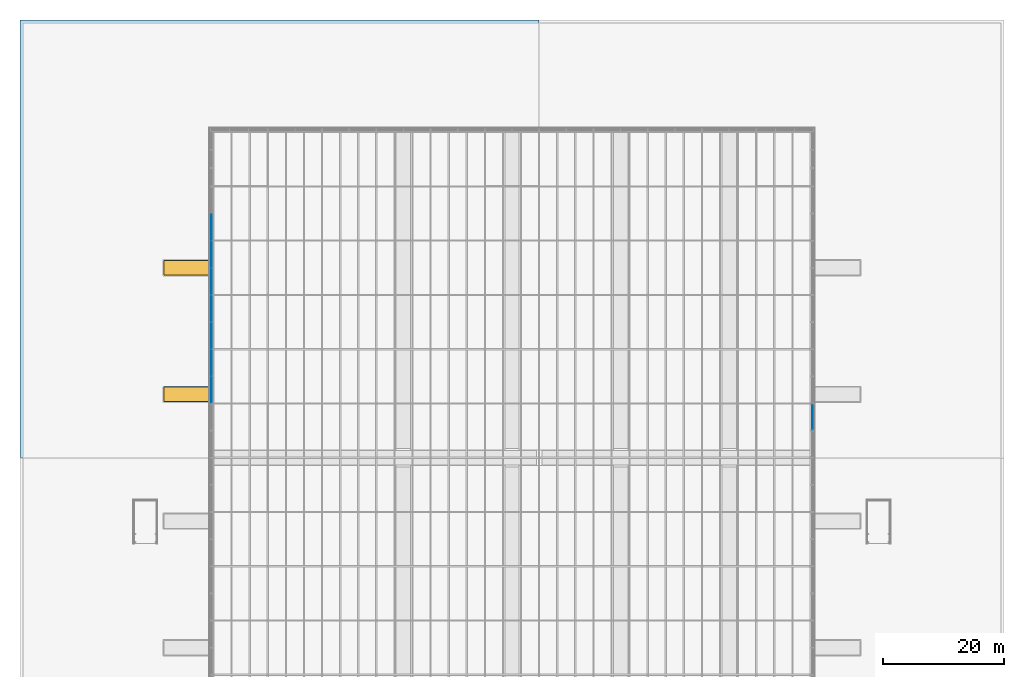
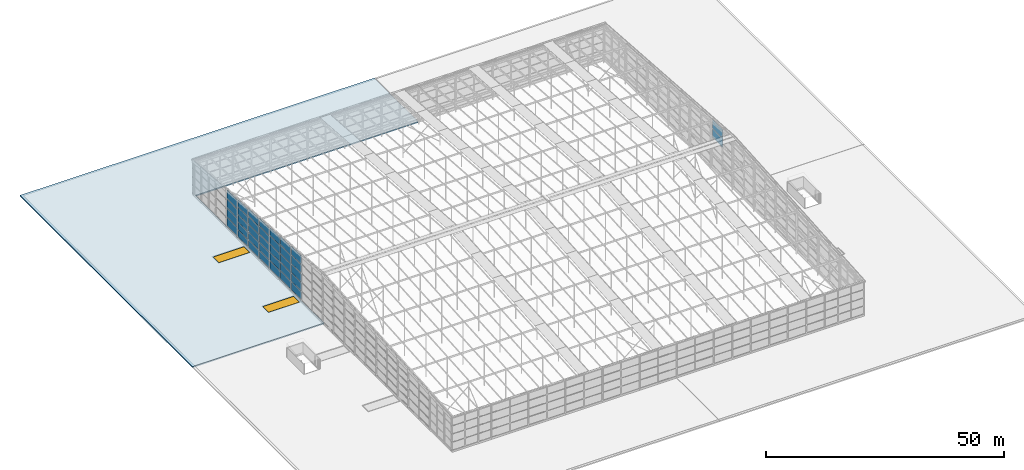
"""IFC4 building model written with IfcOpenShell, lengths in metres."""

from ifc_helpers import new_model, si_unit, direction, frame, origin, origin_2d, place, context, subcontext, project, spatial, polyline, rectangle, outline, extrude, material, layer, layer_set, type_object, element, fill, aggregate, save


model = new_model("IFC4")

# Units and contexts
model_context = context("Model", 3, precision=1e-05, world=origin(), true_north=direction((0.0, 1.0)))
body_context = subcontext(model_context, "Body", "Model", "MODEL_VIEW")
ifc_project = project(units=[si_unit("LENGTHUNIT", "METRE"), si_unit("AREAUNIT", "SQUARE_METRE"), si_unit("VOLUMEUNIT", "CUBIC_METRE"), si_unit("PLANEANGLEUNIT", "RADIAN"), si_unit("MASSUNIT", "GRAM", prefix="KILO")], contexts=[model_context])

# Site, building, storey
site_placement = place(None, origin())
site = spatial("IfcSite", under=ifc_project, at=site_placement, CompositionType="ELEMENT")
building_placement = place(site_placement, origin())
building = spatial("IfcBuilding", under=site, at=building_placement, Name="Silverbay Arena", CompositionType="ELEMENT")
storey_1_placement = place(building_placement, frame((0.0, 0.0, 47.10009765625)))
storey_1 = spatial("IfcBuildingStorey", under=building, at=storey_1_placement, Name="ROOF", CompositionType="ELEMENT", Elevation=47.10009765625)

# Curtain wall, plates
ifc_material_1 = material(Name="Aluminium framed glazing", Category="aluminium")
curtain_wall_type_1 = type_object("IfcCurtainWallType", Name="Curtain wall crown 4500 x 11375", PredefinedType="NOTDEFINED", material=ifc_material_1)
curtain_wall_1_placement = place(storey_1_placement, origin())
curtain_wall_1 = element("IfcCurtainWall", 1, at=curtain_wall_1_placement, inside=storey_1, type_object=curtain_wall_type_1, Name="ROOF CROWN CURTAIN WALL west bay 16", PredefinedType="NOTDEFINED")
ifc_material_2 = material(Name="Laminated glass", Category="glass")
ifc_layer_1 = layer(ifc_material_2, 0.031982421875)
ifc_layer_set_1 = layer_set([ifc_layer_1], Name="Laminated glass")
plate_type = type_object("IfcPlateType", Name="Glass panel 32", PredefinedType="CURTAIN_PANEL", material=ifc_layer_set_1)
storey_2_placement = place(building_placement, frame((0.0, 0.0, 33.5)))
plate_1_placement = place(storey_2_placement, frame((80.64990234375, 92.25, 14.10986328125), z_axis=(0.0, 0.0, 1.0), x_axis=(0.0, 1.0, 0.0)))
plate_1 = element("IfcPlate", 2, at=plate_1_placement, type_object=plate_type, Name="CW73 panel 1.1", PredefinedType="CURTAIN_PANEL", context=body_context, shape_type="SweptSolid", body=[
    extrude(rectangle(XDim=4.300048828125, YDim=0.031982421875, at=origin_2d()), origin(), (0.0, 0.0, 1.0), 2.18505859375),
])
plate_2_placement = place(storey_2_placement, frame((80.64990234375, 92.25, 16.35498046875), z_axis=(0.0, 0.0, 1.0), x_axis=(0.0, 1.0, 0.0)))
plate_2 = element("IfcPlate", 3, at=plate_2_placement, type_object=plate_type, Name="CW73 panel 1.2", PredefinedType="CURTAIN_PANEL", context=body_context, shape_type="SweptSolid", body=[
    extrude(rectangle(XDim=4.300048828125, YDim=0.031982421875, at=origin_2d()), origin(), (0.0, 0.0, 1.0), 2.215087890625),
])
plate_3_placement = place(storey_2_placement, frame((80.64990234375, 92.25, 18.6298828125), z_axis=(0.0, 0.0, 1.0), x_axis=(0.0, 1.0, 0.0)))
plate_3 = element("IfcPlate", 4, at=plate_3_placement, type_object=plate_type, Name="CW73 panel 1.3", PredefinedType="CURTAIN_PANEL", context=body_context, shape_type="SweptSolid", body=[
    extrude(rectangle(XDim=4.300048828125, YDim=0.031982421875, at=origin_2d()), origin(), (0.0, 0.0, 1.0), 2.215087890625),
])
plate_4_placement = place(storey_2_placement, frame((80.64990234375, 92.25, 20.90478515625), z_axis=(0.0, 0.0, 1.0), x_axis=(0.0, 1.0, 0.0)))
plate_4 = element("IfcPlate", 5, at=plate_4_placement, type_object=plate_type, Name="CW73 panel 1.4", PredefinedType="CURTAIN_PANEL", context=body_context, shape_type="SweptSolid", body=[
    extrude(rectangle(XDim=4.300048828125, YDim=0.031982421875, at=origin_2d()), origin(), (0.0, 0.0, 1.0), 2.215087890625),
])
plate_5_placement = place(storey_2_placement, frame((80.64990234375, 92.25, 23.179931640625), z_axis=(0.0, 0.0, 1.0), x_axis=(0.0, 1.0, 0.0)))
plate_5 = element("IfcPlate", 6, at=plate_5_placement, type_object=plate_type, Name="CW73 panel 1.5", PredefinedType="CURTAIN_PANEL", context=body_context, shape_type="SweptSolid", body=[
    extrude(rectangle(XDim=4.300048828125, YDim=0.031982421875, at=origin_2d()), origin(), (0.0, 0.0, 1.0), 2.18505859375),
])
aggregate(curtain_wall_1, [plate_1, plate_2, plate_3, plate_4, plate_5])

ifc_material_3 = material(Name="Aluminium framed glazing", Category="aluminium")
curtain_wall_type_2 = type_object("IfcCurtainWallType", Name="Curtain wall crown 4500 x 11050", PredefinedType="NOTDEFINED", material=ifc_material_3)
curtain_wall_2_placement = place(storey_1_placement, origin())
curtain_wall_2 = element("IfcCurtainWall", 7, at=curtain_wall_2_placement, inside=storey_1, type_object=curtain_wall_type_2, Name="ROOF CROWN CURTAIN WALL west bay 17", PredefinedType="NOTDEFINED")
plate_6_placement = place(storey_2_placement, frame((80.64990234375, 96.75, 14.10986328125), z_axis=(0.0, 0.0, 1.0), x_axis=(0.0, 1.0, 0.0)))
plate_6 = element("IfcPlate", 8, at=plate_6_placement, type_object=plate_type, Name="CW72 panel 1.1", PredefinedType="CURTAIN_PANEL", context=body_context, shape_type="SweptSolid", body=[
    extrude(rectangle(XDim=4.300048828125, YDim=0.031982421875, at=origin_2d()), origin(), (0.0, 0.0, 1.0), 2.1201171875),
])
plate_7_placement = place(storey_2_placement, frame((80.64990234375, 96.75, 16.2900390625), z_axis=(0.0, 0.0, 1.0), x_axis=(0.0, 1.0, 0.0)))
plate_7 = element("IfcPlate", 9, at=plate_7_placement, type_object=plate_type, Name="CW72 panel 1.2", PredefinedType="CURTAIN_PANEL", context=body_context, shape_type="SweptSolid", body=[
    extrude(rectangle(XDim=4.300048828125, YDim=0.031982421875, at=origin_2d()), origin(), (0.0, 0.0, 1.0), 2.14990234375),
])
plate_8_placement = place(storey_2_placement, frame((80.64990234375, 96.75, 18.5), z_axis=(0.0, 0.0, 1.0), x_axis=(0.0, 1.0, 0.0)))
plate_8 = element("IfcPlate", 10, at=plate_8_placement, type_object=plate_type, Name="CW72 panel 1.3", PredefinedType="CURTAIN_PANEL", context=body_context, shape_type="SweptSolid", body=[
    extrude(rectangle(XDim=4.300048828125, YDim=0.031982421875, at=origin_2d()), origin(), (0.0, 0.0, 1.0), 2.14990234375),
])
plate_9_placement = place(storey_2_placement, frame((80.64990234375, 96.75, 20.7099609375), z_axis=(0.0, 0.0, 1.0), x_axis=(0.0, 1.0, 0.0)))
plate_9 = element("IfcPlate", 11, at=plate_9_placement, type_object=plate_type, Name="CW72 panel 1.4", PredefinedType="CURTAIN_PANEL", context=body_context, shape_type="SweptSolid", body=[
    extrude(rectangle(XDim=4.300048828125, YDim=0.031982421875, at=origin_2d()), origin(), (0.0, 0.0, 1.0), 2.14990234375),
])
plate_10_placement = place(storey_2_placement, frame((80.64990234375, 96.75, 22.919921875), z_axis=(0.0, 0.0, 1.0), x_axis=(0.0, 1.0, 0.0)))
plate_10 = element("IfcPlate", 12, at=plate_10_placement, type_object=plate_type, Name="CW72 panel 1.5", PredefinedType="CURTAIN_PANEL", context=body_context, shape_type="SweptSolid", body=[
    extrude(rectangle(XDim=4.300048828125, YDim=0.031982421875, at=origin_2d()), origin(), (0.0, 0.0, 1.0), 2.1201171875),
])
aggregate(curtain_wall_2, [plate_6, plate_7, plate_8, plate_9, plate_10])

ifc_material_4 = material(Name="Aluminium framed glazing", Category="aluminium")
curtain_wall_type_3 = type_object("IfcCurtainWallType", Name="Curtain wall crown 4500 x 10725", PredefinedType="NOTDEFINED", material=ifc_material_4)
curtain_wall_3_placement = place(storey_1_placement, origin())
curtain_wall_3 = element("IfcCurtainWall", 13, at=curtain_wall_3_placement, inside=storey_1, type_object=curtain_wall_type_3, Name="ROOF CROWN CURTAIN WALL west bay 18", PredefinedType="NOTDEFINED")
plate_11_placement = place(storey_2_placement, frame((80.64990234375, 101.25, 14.10986328125), z_axis=(0.0, 0.0, 1.0), x_axis=(0.0, 1.0, 0.0)))
plate_11 = element("IfcPlate", 14, at=plate_11_placement, type_object=plate_type, Name="CW71 panel 1.1", PredefinedType="CURTAIN_PANEL", context=body_context, shape_type="SweptSolid", body=[
    extrude(rectangle(XDim=4.300048828125, YDim=0.031982421875, at=origin_2d()), origin(), (0.0, 0.0, 1.0), 2.054931640625),
])
plate_12_placement = place(storey_2_placement, frame((80.64990234375, 101.25, 16.22509765625), z_axis=(0.0, 0.0, 1.0), x_axis=(0.0, 1.0, 0.0)))
plate_12 = element("IfcPlate", 15, at=plate_12_placement, type_object=plate_type, Name="CW71 panel 1.2", PredefinedType="CURTAIN_PANEL", context=body_context, shape_type="SweptSolid", body=[
    extrude(rectangle(XDim=4.300048828125, YDim=0.031982421875, at=origin_2d()), origin(), (0.0, 0.0, 1.0), 2.0849609375),
])
plate_13_placement = place(storey_2_placement, frame((80.64990234375, 101.25, 18.3701171875), z_axis=(0.0, 0.0, 1.0), x_axis=(0.0, 1.0, 0.0)))
plate_13 = element("IfcPlate", 16, at=plate_13_placement, type_object=plate_type, Name="CW71 panel 1.3", PredefinedType="CURTAIN_PANEL", context=body_context, shape_type="SweptSolid", body=[
    extrude(rectangle(XDim=4.300048828125, YDim=0.031982421875, at=origin_2d()), origin(), (0.0, 0.0, 1.0), 2.0849609375),
])
plate_14_placement = place(storey_2_placement, frame((80.64990234375, 101.25, 20.51513671875), z_axis=(0.0, 0.0, 1.0), x_axis=(0.0, 1.0, 0.0)))
plate_14 = element("IfcPlate", 17, at=plate_14_placement, type_object=plate_type, Name="CW71 panel 1.4", PredefinedType="CURTAIN_PANEL", context=body_context, shape_type="SweptSolid", body=[
    extrude(rectangle(XDim=4.300048828125, YDim=0.031982421875, at=origin_2d()), origin(), (0.0, 0.0, 1.0), 2.0849609375),
])
plate_15_placement = place(storey_2_placement, frame((80.64990234375, 101.25, 22.66015625), z_axis=(0.0, 0.0, 1.0), x_axis=(0.0, 1.0, 0.0)))
plate_15 = element("IfcPlate", 18, at=plate_15_placement, type_object=plate_type, Name="CW71 panel 1.5", PredefinedType="CURTAIN_PANEL", context=body_context, shape_type="SweptSolid", body=[
    extrude(rectangle(XDim=4.300048828125, YDim=0.031982421875, at=origin_2d()), origin(), (0.0, 0.0, 1.0), 2.054931640625),
])
aggregate(curtain_wall_3, [plate_11, plate_12, plate_13, plate_14, plate_15])

ifc_material_5 = material(Name="Aluminium framed glazing", Category="aluminium")
curtain_wall_type_4 = type_object("IfcCurtainWallType", Name="Curtain wall crown 4500 x 10400", PredefinedType="NOTDEFINED", material=ifc_material_5)
curtain_wall_4_placement = place(storey_1_placement, origin())
curtain_wall_4 = element("IfcCurtainWall", 19, at=curtain_wall_4_placement, inside=storey_1, type_object=curtain_wall_type_4, Name="ROOF CROWN CURTAIN WALL west bay 19", PredefinedType="NOTDEFINED")
plate_16_placement = place(storey_2_placement, frame((80.64990234375, 105.75, 14.10986328125), z_axis=(0.0, 0.0, 1.0), x_axis=(0.0, 1.0, 0.0)))
plate_16 = element("IfcPlate", 20, at=plate_16_placement, type_object=plate_type, Name="CW70 panel 1.1", PredefinedType="CURTAIN_PANEL", context=body_context, shape_type="SweptSolid", body=[
    extrude(rectangle(XDim=4.300048828125, YDim=0.031982421875, at=origin_2d()), origin(), (0.0, 0.0, 1.0), 1.989990234375),
])
plate_17_placement = place(storey_2_placement, frame((80.64990234375, 105.75, 16.159912109375), z_axis=(0.0, 0.0, 1.0), x_axis=(0.0, 1.0, 0.0)))
plate_17 = element("IfcPlate", 21, at=plate_17_placement, type_object=plate_type, Name="CW70 panel 1.2", PredefinedType="CURTAIN_PANEL", context=body_context, shape_type="SweptSolid", body=[
    extrude(rectangle(XDim=4.300048828125, YDim=0.031982421875, at=origin_2d()), origin(), (0.0, 0.0, 1.0), 2.02001953125),
])
plate_18_placement = place(storey_2_placement, frame((80.64990234375, 105.75, 18.239990234375), z_axis=(0.0, 0.0, 1.0), x_axis=(0.0, 1.0, 0.0)))
plate_18 = element("IfcPlate", 22, at=plate_18_placement, type_object=plate_type, Name="CW70 panel 1.3", PredefinedType="CURTAIN_PANEL", context=body_context, shape_type="SweptSolid", body=[
    extrude(rectangle(XDim=4.300048828125, YDim=0.031982421875, at=origin_2d()), origin(), (0.0, 0.0, 1.0), 2.02001953125),
])
plate_19_placement = place(storey_2_placement, frame((80.64990234375, 105.75, 20.320068359375), z_axis=(0.0, 0.0, 1.0), x_axis=(0.0, 1.0, 0.0)))
plate_19 = element("IfcPlate", 23, at=plate_19_placement, type_object=plate_type, Name="CW70 panel 1.4", PredefinedType="CURTAIN_PANEL", context=body_context, shape_type="SweptSolid", body=[
    extrude(rectangle(XDim=4.300048828125, YDim=0.031982421875, at=origin_2d()), origin(), (0.0, 0.0, 1.0), 2.02001953125),
])
plate_20_placement = place(storey_2_placement, frame((80.64990234375, 105.75, 22.39990234375), z_axis=(0.0, 0.0, 1.0), x_axis=(0.0, 1.0, 0.0)))
plate_20 = element("IfcPlate", 24, at=plate_20_placement, type_object=plate_type, Name="CW70 panel 1.5", PredefinedType="CURTAIN_PANEL", context=body_context, shape_type="SweptSolid", body=[
    extrude(rectangle(XDim=4.300048828125, YDim=0.031982421875, at=origin_2d()), origin(), (0.0, 0.0, 1.0), 1.989990234375),
])
aggregate(curtain_wall_4, [plate_16, plate_17, plate_18, plate_19, plate_20])

ifc_material_6 = material(Name="Aluminium framed glazing", Category="aluminium")
curtain_wall_type_5 = type_object("IfcCurtainWallType", Name="Curtain wall crown 4500 x 10075", PredefinedType="NOTDEFINED", material=ifc_material_6)
curtain_wall_5_placement = place(storey_1_placement, origin())
curtain_wall_5 = element("IfcCurtainWall", 25, at=curtain_wall_5_placement, inside=storey_1, type_object=curtain_wall_type_5, Name="ROOF CROWN CURTAIN WALL west bay 20", PredefinedType="NOTDEFINED")
plate_21_placement = place(storey_2_placement, frame((80.64990234375, 110.25, 14.10986328125), z_axis=(0.0, 0.0, 1.0), x_axis=(0.0, 1.0, 0.0)))
plate_21 = element("IfcPlate", 26, at=plate_21_placement, type_object=plate_type, Name="CW69 panel 1.1", PredefinedType="CURTAIN_PANEL", context=body_context, shape_type="SweptSolid", body=[
    extrude(rectangle(XDim=4.300048828125, YDim=0.031982421875, at=origin_2d()), origin(), (0.0, 0.0, 1.0), 1.925048828125),
])
plate_22_placement = place(storey_2_placement, frame((80.64990234375, 110.25, 16.094970703125), z_axis=(0.0, 0.0, 1.0), x_axis=(0.0, 1.0, 0.0)))
plate_22 = element("IfcPlate", 27, at=plate_22_placement, type_object=plate_type, Name="CW69 panel 1.2", PredefinedType="CURTAIN_PANEL", context=body_context, shape_type="SweptSolid", body=[
    extrude(rectangle(XDim=4.300048828125, YDim=0.031982421875, at=origin_2d()), origin(), (0.0, 0.0, 1.0), 1.955078125),
])
plate_23_placement = place(storey_2_placement, frame((80.64990234375, 110.25, 18.10986328125), z_axis=(0.0, 0.0, 1.0), x_axis=(0.0, 1.0, 0.0)))
plate_23 = element("IfcPlate", 28, at=plate_23_placement, type_object=plate_type, Name="CW69 panel 1.3", PredefinedType="CURTAIN_PANEL", context=body_context, shape_type="SweptSolid", body=[
    extrude(rectangle(XDim=4.300048828125, YDim=0.031982421875, at=origin_2d()), origin(), (0.0, 0.0, 1.0), 1.955078125),
])
plate_24_placement = place(storey_2_placement, frame((80.64990234375, 110.25, 20.125), z_axis=(0.0, 0.0, 1.0), x_axis=(0.0, 1.0, 0.0)))
plate_24 = element("IfcPlate", 29, at=plate_24_placement, type_object=plate_type, Name="CW69 panel 1.4", PredefinedType="CURTAIN_PANEL", context=body_context, shape_type="SweptSolid", body=[
    extrude(rectangle(XDim=4.300048828125, YDim=0.031982421875, at=origin_2d()), origin(), (0.0, 0.0, 1.0), 1.955078125),
])
plate_25_placement = place(storey_2_placement, frame((80.64990234375, 110.25, 22.14013671875), z_axis=(0.0, 0.0, 1.0), x_axis=(0.0, 1.0, 0.0)))
plate_25 = element("IfcPlate", 30, at=plate_25_placement, type_object=plate_type, Name="CW69 panel 1.5", PredefinedType="CURTAIN_PANEL", context=body_context, shape_type="SweptSolid", body=[
    extrude(rectangle(XDim=4.300048828125, YDim=0.031982421875, at=origin_2d()), origin(), (0.0, 0.0, 1.0), 1.925048828125),
])
aggregate(curtain_wall_5, [plate_21, plate_22, plate_23, plate_24, plate_25])

ifc_material_7 = material(Name="Aluminium framed glazing", Category="aluminium")
curtain_wall_type_6 = type_object("IfcCurtainWallType", Name="Curtain wall crown 4500 x 9750", PredefinedType="NOTDEFINED", material=ifc_material_7)
curtain_wall_6_placement = place(storey_1_placement, origin())
curtain_wall_6 = element("IfcCurtainWall", 31, at=curtain_wall_6_placement, inside=storey_1, type_object=curtain_wall_type_6, Name="ROOF CROWN CURTAIN WALL west bay 21", PredefinedType="NOTDEFINED")
plate_26_placement = place(storey_2_placement, frame((80.64990234375, 114.75, 14.10986328125), z_axis=(0.0, 0.0, 1.0), x_axis=(0.0, 1.0, 0.0)))
plate_26 = element("IfcPlate", 32, at=plate_26_placement, type_object=plate_type, Name="CW68 panel 1.1", PredefinedType="CURTAIN_PANEL", context=body_context, shape_type="SweptSolid", body=[
    extrude(rectangle(XDim=4.300048828125, YDim=0.031982421875, at=origin_2d()), origin(), (0.0, 0.0, 1.0), 1.860107421875),
])
plate_27_placement = place(storey_2_placement, frame((80.64990234375, 114.75, 16.0302734375), z_axis=(0.0, 0.0, 1.0), x_axis=(0.0, 1.0, 0.0)))
plate_27 = element("IfcPlate", 33, at=plate_27_placement, type_object=plate_type, Name="CW68 panel 1.2", PredefinedType="CURTAIN_PANEL", context=body_context, shape_type="SweptSolid", body=[
    extrude(rectangle(XDim=4.300048828125, YDim=0.031982421875, at=origin_2d()), origin(), (0.0, 0.0, 1.0), 1.889892578125),
])
plate_28_placement = place(storey_2_placement, frame((80.64990234375, 114.75, 17.97998046875), z_axis=(0.0, 0.0, 1.0), x_axis=(0.0, 1.0, 0.0)))
plate_28 = element("IfcPlate", 34, at=plate_28_placement, type_object=plate_type, Name="CW68 panel 1.3", PredefinedType="CURTAIN_PANEL", context=body_context, shape_type="SweptSolid", body=[
    extrude(rectangle(XDim=4.300048828125, YDim=0.031982421875, at=origin_2d()), origin(), (0.0, 0.0, 1.0), 1.889892578125),
])
plate_29_placement = place(storey_2_placement, frame((80.64990234375, 114.75, 19.93017578125), z_axis=(0.0, 0.0, 1.0), x_axis=(0.0, 1.0, 0.0)))
plate_29 = element("IfcPlate", 35, at=plate_29_placement, type_object=plate_type, Name="CW68 panel 1.4", PredefinedType="CURTAIN_PANEL", context=body_context, shape_type="SweptSolid", body=[
    extrude(rectangle(XDim=4.300048828125, YDim=0.031982421875, at=origin_2d()), origin(), (0.0, 0.0, 1.0), 1.889892578125),
])
plate_30_placement = place(storey_2_placement, frame((80.64990234375, 114.75, 21.8798828125), z_axis=(0.0, 0.0, 1.0), x_axis=(0.0, 1.0, 0.0)))
plate_30 = element("IfcPlate", 36, at=plate_30_placement, type_object=plate_type, Name="CW68 panel 1.5", PredefinedType="CURTAIN_PANEL", context=body_context, shape_type="SweptSolid", body=[
    extrude(rectangle(XDim=4.300048828125, YDim=0.031982421875, at=origin_2d()), origin(), (0.0, 0.0, 1.0), 1.860107421875),
])
aggregate(curtain_wall_6, [plate_26, plate_27, plate_28, plate_29, plate_30])

ifc_material_8 = material(Name="Aluminium framed glazing", Category="aluminium")
curtain_wall_type_7 = type_object("IfcCurtainWallType", Name="Curtain wall crown 4500 x 9425", PredefinedType="NOTDEFINED", material=ifc_material_8)
curtain_wall_7_placement = place(storey_1_placement, origin())
curtain_wall_7 = element("IfcCurtainWall", 37, at=curtain_wall_7_placement, inside=storey_1, type_object=curtain_wall_type_7, Name="ROOF CROWN CURTAIN WALL west bay 22", PredefinedType="NOTDEFINED")
plate_31_placement = place(storey_2_placement, frame((80.64990234375, 119.25, 14.10986328125), z_axis=(0.0, 0.0, 1.0), x_axis=(0.0, 1.0, 0.0)))
plate_31 = element("IfcPlate", 38, at=plate_31_placement, type_object=plate_type, Name="CW67 panel 1.1", PredefinedType="CURTAIN_PANEL", context=body_context, shape_type="SweptSolid", body=[
    extrude(rectangle(XDim=4.300048828125, YDim=0.031982421875, at=origin_2d()), origin(), (0.0, 0.0, 1.0), 2.266357421875),
])
plate_32_placement = place(storey_2_placement, frame((80.64990234375, 119.25, 16.4365234375), z_axis=(0.0, 0.0, 1.0), x_axis=(0.0, 1.0, 0.0)))
plate_32 = element("IfcPlate", 39, at=plate_32_placement, type_object=plate_type, Name="CW67 panel 1.2", PredefinedType="CURTAIN_PANEL", context=body_context, shape_type="SweptSolid", body=[
    extrude(rectangle(XDim=4.300048828125, YDim=0.031982421875, at=origin_2d()), origin(), (0.0, 0.0, 1.0), 2.296142578125),
])
plate_33_placement = place(storey_2_placement, frame((80.64990234375, 119.25, 18.79248046875), z_axis=(0.0, 0.0, 1.0), x_axis=(0.0, 1.0, 0.0)))
plate_33 = element("IfcPlate", 40, at=plate_33_placement, type_object=plate_type, Name="CW67 panel 1.3", PredefinedType="CURTAIN_PANEL", context=body_context, shape_type="SweptSolid", body=[
    extrude(rectangle(XDim=4.300048828125, YDim=0.031982421875, at=origin_2d()), origin(), (0.0, 0.0, 1.0), 2.296142578125),
])
plate_34_placement = place(storey_2_placement, frame((80.64990234375, 119.25, 21.14892578125), z_axis=(0.0, 0.0, 1.0), x_axis=(0.0, 1.0, 0.0)))
plate_34 = element("IfcPlate", 41, at=plate_34_placement, type_object=plate_type, Name="CW67 panel 1.4", PredefinedType="CURTAIN_PANEL", context=body_context, shape_type="SweptSolid", body=[
    extrude(rectangle(XDim=4.300048828125, YDim=0.031982421875, at=origin_2d()), origin(), (0.0, 0.0, 1.0), 2.266357421875),
])
aggregate(curtain_wall_7, [plate_31, plate_32, plate_33, plate_34])

ifc_material_9 = material(Name="Aluminium framed glazing", Category="aluminium")
curtain_wall_type_8 = type_object("IfcCurtainWallType", Name="Curtain wall crown 4500 x 11700", PredefinedType="NOTDEFINED", material=ifc_material_9)
curtain_wall_8_placement = place(storey_1_placement, origin())
curtain_wall_8 = element("IfcCurtainWall", 42, at=curtain_wall_8_placement, inside=storey_1, type_object=curtain_wall_type_8, Name="ROOF CROWN CURTAIN WALL east bay 15", PredefinedType="NOTDEFINED")
plate_35_placement = place(storey_2_placement, frame((180.35009765625, 87.75, 21.10009765625), z_axis=(0.0, 0.0, 1.0), x_axis=(0.0, 1.0, 0.0)))
plate_35 = element("IfcPlate", 43, at=plate_35_placement, type_object=plate_type, Name="CW74 panel 1.4", PredefinedType="CURTAIN_PANEL", context=body_context, shape_type="SweptSolid", body=[
    extrude(rectangle(XDim=4.300048828125, YDim=0.031982421875, at=origin_2d()), origin(), (0.0, 0.0, 1.0), 2.280029296875),
])
plate_36_placement = place(storey_2_placement, frame((180.35009765625, 87.75, 23.43994140625), z_axis=(0.0, 0.0, 1.0), x_axis=(0.0, 1.0, 0.0)))
plate_36 = element("IfcPlate", 44, at=plate_36_placement, type_object=plate_type, Name="CW74 panel 1.5", PredefinedType="CURTAIN_PANEL", context=body_context, shape_type="SweptSolid", body=[
    extrude(rectangle(XDim=4.300048828125, YDim=0.031982421875, at=origin_2d()), origin(), (0.0, 0.0, 1.0), 2.25),
])
aggregate(curtain_wall_8, [plate_35, plate_36])

# Slab, openings
ifc_material_10 = material(Name="Steel S350GD", Category="steel")
ifc_layer_2 = layer(ifc_material_10, 0.300048828125)
ifc_layer_set_2 = layer_set([ifc_layer_2], Name="Steel S350GD")
slab_type = type_object("IfcSlabType", Name="Roof deck 300", PredefinedType="ROOF", material=ifc_layer_set_2)
slab_placement = place(storey_1_placement, frame((0.0, 0.0, -0.300048828125)))
slab = element("IfcSlab", 45, at=slab_placement, inside=storey_1, type_object=slab_type, Name="ROOF DECK north-west", PredefinedType="ROOF", context=body_context, shape_type="SweptSolid", body=[
    extrude(outline(polyline([(48.89990234375, 81.02490234375), (80.875, 81.02490234375), (80.875, 135.125), (134.955078125, 135.125), (134.955078125, 153.60009765625), (48.89990234375, 153.60009765625), (48.89990234375, 81.02490234375)])), origin(), (0.0, 0.0, 1.0), 0.300048828125),
])
opening_1_placement = place(slab_placement, frame((76.5, 91.5, 0.0)))
opening_1 = element("IfcOpeningElement", 46, at=opening_1_placement, cuts=slab, Name="Opening RL1", PredefinedType="OPENING", context=body_context, shape_type="SweptSolid", body=[
    extrude(rectangle(XDim=7.5, YDim=2.39990234375, at=origin_2d()), origin(), (0.0, 0.0, 1.0), 0.300048828125),
])
opening_2_placement = place(slab_placement, frame((76.5, 112.5, 0.0)))
opening_2 = element("IfcOpeningElement", 47, at=opening_2_placement, cuts=slab, Name="Opening RL1", PredefinedType="OPENING", context=body_context, shape_type="SweptSolid", body=[
    extrude(rectangle(XDim=7.5, YDim=2.39990234375, at=origin_2d()), origin(), (0.0, 0.0, 1.0), 0.300048828125),
])

# Storey
storey_2 = spatial("IfcBuildingStorey", under=building, at=storey_2_placement, Name="L05", CompositionType="ELEMENT", Elevation=33.5)

# Window
ifc_material_11 = material(Name="Aluminium framed glazing", Category="aluminium")
window_type = type_object("IfcWindowType", Name="Roof light 7500x2400", PartitioningType="SINGLE_PANEL", PredefinedType="SKYLIGHT", material=ifc_material_11)
window_1_placement = place(opening_1_placement, frame((0.0, 0.0, 0.25)))
window_1 = element("IfcWindow", 48, at=window_1_placement, inside=storey_2, type_object=window_type, Name="Roof light NW 05", OverallHeight=2.39990234375, OverallWidth=7.5, PartitioningType="SINGLE_PANEL", PredefinedType="SKYLIGHT", context=body_context, shape_type="SweptSolid", body=[
    extrude(rectangle(XDim=7.5, YDim=2.39990234375, at=origin_2d()), origin(), (0.0, 0.0, 1.0), 0.050048828125),
])

fill(opening_1, window_1)

window_2_placement = place(opening_2_placement, frame((0.0, 0.0, 0.25)))
window_2 = element("IfcWindow", 49, at=window_2_placement, inside=storey_2, type_object=window_type, Name="Roof light NW 07", OverallHeight=2.39990234375, OverallWidth=7.5, PartitioningType="SINGLE_PANEL", PredefinedType="SKYLIGHT", context=body_context, shape_type="SweptSolid", body=[
    extrude(rectangle(XDim=7.5, YDim=2.39990234375, at=origin_2d()), origin(), (0.0, 0.0, 1.0), 0.050048828125),
])

fill(opening_2, window_2)

save(model, "model.ifc")
